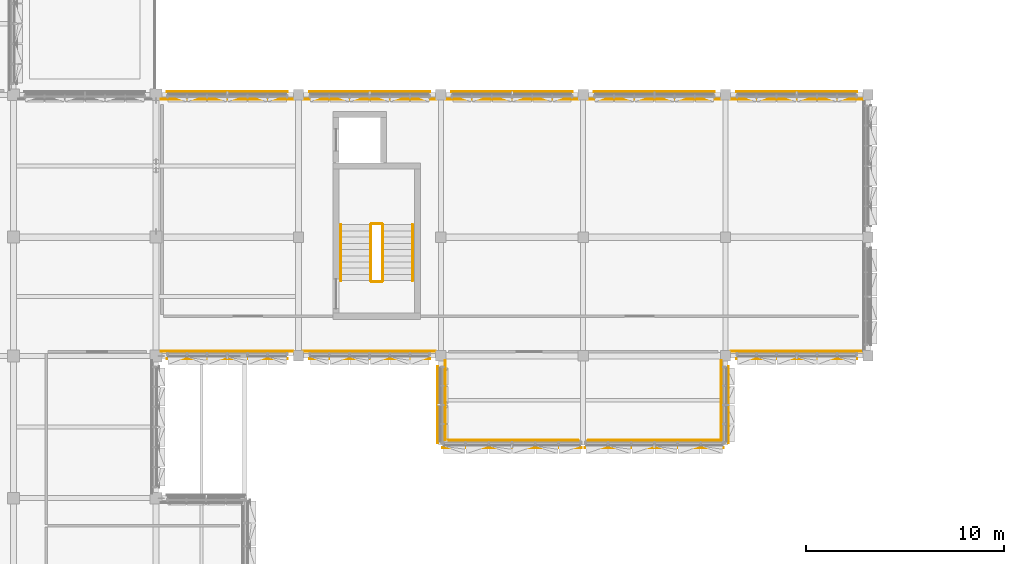
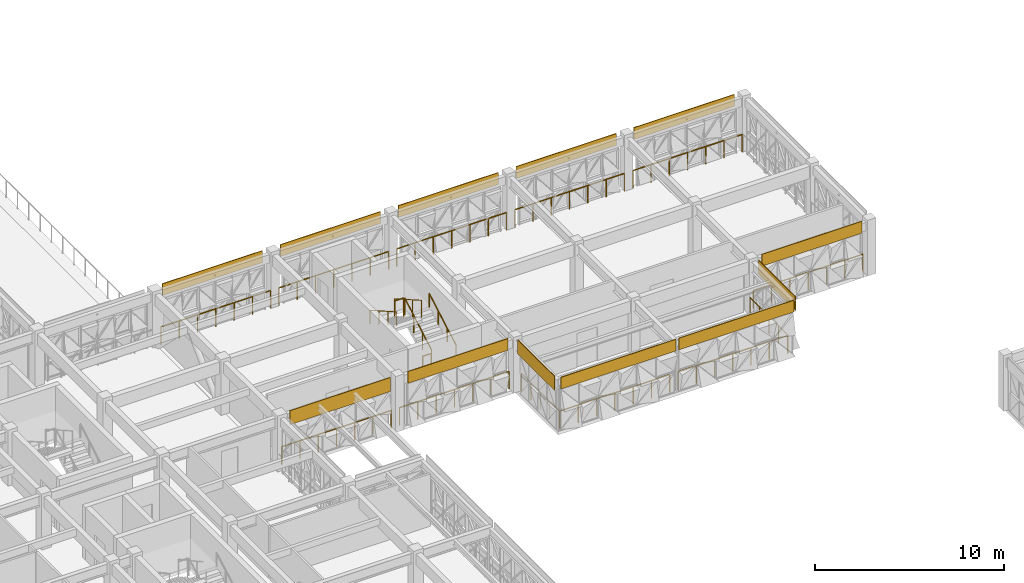
# One storey, part 81 of 99: 18 railings, 12 coverings.
"""IFC4 building model written with IfcOpenShell, lengths in metres."""

from ifc_helpers import new_model, si_unit, direction, frame, origin, origin_2d, place, context, subcontext, project, spatial, polyline, circle, outline, extrude, material, layer, layer_set, type_object, element, save


model = new_model("IFC4")

# Units and contexts
model_context = context("Model", 3, precision=1e-05, world=origin(), true_north=direction((0.0, 1.0)))
body_context = subcontext(model_context, "Body", "Model", "MODEL_VIEW")
ifc_project = project(units=[si_unit("LENGTHUNIT", "METRE"), si_unit("AREAUNIT", "SQUARE_METRE"), si_unit("VOLUMEUNIT", "CUBIC_METRE"), si_unit("PLANEANGLEUNIT", "RADIAN"), si_unit("MASSUNIT", "GRAM", prefix="KILO")], contexts=[model_context])

# Site, building, storey
site_placement = place(None, origin())
site = spatial("IfcSite", under=ifc_project, at=site_placement, CompositionType="ELEMENT")
building_placement = place(site_placement, origin())
building = spatial("IfcBuilding", under=site, at=building_placement, Name="Alvorim Cloister Faculty of Sciences", CompositionType="ELEMENT")
storey_placement = place(building_placement, frame((0.0, 0.0, 12.14990234375)))
storey = spatial("IfcBuildingStorey", under=building, at=storey_placement, Name="L03", CompositionType="ELEMENT", Elevation=12.14990234375)

# Coverings
ifc_material_1 = material(Name="Anodised Aluminium Alloy 6063-T6", Category="aluminium")
ifc_layer = layer(ifc_material_1, 0.031982421875)
ifc_layer_set = layer_set([ifc_layer], Name="Anodised Aluminium Alloy 6063-T6")
covering_type = type_object("IfcCoveringType", Name="COV-FAC-CAS", PredefinedType="CLADDING", material=ifc_layer_set)
for number, where, z_axis, x_axis, name in (
    (1, (29.340087890625, 56.550048828125, 2.830078125), (0.0, 0.0, 1.0), (1.0, 0.0, 0.0), "L03 Shifted Bar Slab-Edge Architectural Fascia"),
    (2, (36.5400390625, 56.550048828125, 2.830078125), (0.0, 0.0, 1.0), (1.0, 0.0, 0.0), "L03 Shifted Bar Slab-Edge Architectural Fascia"),
    (3, (43.739990234375, 56.550048828125, 2.830078125), (0.0, 0.0, 1.0), (1.0, 0.0, 0.0), "L03 Shifted Bar Slab-Edge Architectural Fascia"),
    (4, (50.93994140625, 56.550048828125, 2.830078125), (0.0, 0.0, 1.0), (1.0, 0.0, 0.0), "L03 Shifted Bar Slab-Edge Architectural Fascia"),
    (5, (58.139892578125, 56.550048828125, 2.830078125), (0.0, 0.0, 1.0), (1.0, 0.0, 0.0), "L03 Shifted Bar Slab-Edge Architectural Fascia"),
    (6, (58.139892578125, 43.050048828125, 2.830078125), (0.0, 0.0, 1.0), (1.0, 0.0, 0.0), "L03 Shifted Bar Slab-Edge Architectural Fascia"),
):
    element("IfcCovering", number, at=place(storey_placement, frame(where, z_axis=z_axis, x_axis=x_axis)), inside=storey, type_object=covering_type, Name=name, PredefinedType="CLADDING", context=body_context, shape_type="SweptSolid", body=[
        extrude(outline(polyline([(0.0, 0.0), (6.1201171875, 0.0), (6.1201171875, 0.760009765625), (0.0, 0.760009765625), (0.0, 0.0)])), frame((0.0, 0.0224609375, 0.0), z_axis=(0.0, -1.0, 0.0), x_axis=(1.0, 0.0, 0.0)), (0.0, 0.0, 1.0), 0.044921875),
    ])
covering_1_placement = place(storey_placement, frame((57.75, 38.780029296875, 2.68603515625), z_axis=(0.0, 0.0, 1.0), x_axis=(0.0, 1.0, 0.0)))
element("IfcCovering", 7, at=covering_1_placement, inside=storey, type_object=covering_type, Name="L03 Shifted Bar Slab-Edge Architectural Fascia", PredefinedType="CLADDING", context=body_context, shape_type="SweptSolid", body=[
    extrude(outline(polyline([(0.0, 0.0), (3.8798828125, 0.0), (3.8798828125, 0.904052734375), (0.0, 0.904052734375), (0.0, 0.0)])), frame((0.0, 0.0224609375, 0.0), z_axis=(0.0, -1.0, 0.0), x_axis=(1.0, 0.0, 0.0)), (0.0, 0.0, 1.0), 0.044921875),
])
for number, where, z_axis, x_axis, name in (
    (8, (50.47998046875, 38.550048828125, 2.837158203125), (0.0, 0.0, 1.0), (1.0, 0.0, 0.0), "L03 Shifted Bar Slab-Edge Architectural Fascia"),
    (9, (43.280029296875, 38.550048828125, 2.837158203125), (0.0, 0.0, 1.0), (1.0, 0.0, 0.0), "L03 Shifted Bar Slab-Edge Architectural Fascia"),
):
    element("IfcCovering", number, at=place(storey_placement, frame(where, z_axis=z_axis, x_axis=x_axis)), inside=storey, type_object=covering_type, Name=name, PredefinedType="CLADDING", context=body_context, shape_type="SweptSolid", body=[
        extrude(outline(polyline([(0.0, 0.0), (7.0400390625, 0.0), (7.0400390625, 0.7529296875), (0.0, 0.7529296875), (0.0, 0.0)])), frame((0.0, 0.0224609375, 0.0), z_axis=(0.0, -1.0, 0.0), x_axis=(1.0, 0.0, 0.0)), (0.0, 0.0, 1.0), 0.044921875),
    ])
covering_2_placement = place(storey_placement, frame((43.050048828125, 38.780029296875, 2.68603515625), z_axis=(0.0, 0.0, 1.0), x_axis=(0.0, 1.0, 0.0)))
element("IfcCovering", 10, at=covering_2_placement, inside=storey, type_object=covering_type, Name="L03 Shifted Bar Slab-Edge Architectural Fascia", PredefinedType="CLADDING", context=body_context, shape_type="SweptSolid", body=[
    extrude(outline(polyline([(0.0, 0.0), (3.8798828125, 0.0), (3.8798828125, 0.904052734375), (0.0, 0.904052734375), (0.0, 0.0)])), frame((0.0, 0.0224609375, 0.0), z_axis=(0.0, -1.0, 0.0), x_axis=(1.0, 0.0, 0.0)), (0.0, 0.0, 1.0), 0.044921875),
])
covering_3_placement = place(storey_placement, frame((36.5400390625, 43.050048828125, 2.830078125), z_axis=(0.0, 0.0, 1.0), x_axis=(1.0, 0.0, 0.0)))
element("IfcCovering", 11, at=covering_3_placement, inside=storey, type_object=covering_type, Name="L03 Shifted Bar Slab-Edge Architectural Fascia", PredefinedType="CLADDING", context=body_context, shape_type="SweptSolid", body=[
    extrude(outline(polyline([(0.0, 0.0), (6.1201171875, 0.0), (6.1201171875, 0.760009765625), (0.0, 0.760009765625), (0.0, 0.0)])), frame((0.0, 0.0224609375, 0.0), z_axis=(0.0, -1.0, 0.0), x_axis=(1.0, 0.0, 0.0)), (0.0, 0.0, 1.0), 0.044921875),
])
covering_4_placement = place(storey_placement, frame((29.340087890625, 43.050048828125, 2.68603515625), z_axis=(0.0, 0.0, 1.0), x_axis=(1.0, 0.0, 0.0)))
element("IfcCovering", 12, at=covering_4_placement, inside=storey, type_object=covering_type, Name="L03 Shifted Bar Slab-Edge Architectural Fascia", PredefinedType="CLADDING", context=body_context, shape_type="SweptSolid", body=[
    extrude(outline(polyline([(0.0, 0.0), (6.1201171875, 0.0), (6.1201171875, 0.904052734375), (0.0, 0.904052734375), (0.0, 0.0)])), frame((0.0, 0.0224609375, 0.0), z_axis=(0.0, -1.0, 0.0), x_axis=(1.0, 0.0, 0.0)), (0.0, 0.0, 1.0), 0.044921875),
])

# Railings
ifc_material_2 = material(Name="Laminated Safety Glass and Bronze", Category="glass")
railing_type_1 = type_object("IfcRailingType", Name="RL-ATR-BAL-1150", PredefinedType="BALUSTRADE", material=ifc_material_2)
for number, where, name in (
    (13, (29.050048828125, 56.179931640625, 0.0), "L03 Curtain Wall Sill Guard BL-119"),
    (14, (36.25, 56.179931640625, 0.0), "L03 Curtain Wall Sill Guard BL-120"),
    (15, (43.449951171875, 56.179931640625, 0.0), "L03 Curtain Wall Sill Guard BL-121"),
):
    element("IfcRailing", number, at=place(storey_placement, frame(where)), inside=storey, type_object=railing_type_1, Name=name, PredefinedType="BALUSTRADE", context=body_context, shape_type="SweptSolid", body=[
        extrude(circle(Radius=0.02392578125, at=origin_2d()), frame((0.0, 0.0, 1.1259765625), z_axis=(1.0, 0.0, 0.0), x_axis=(0.0, 1.0, 0.0)), (0.0, 0.0, 1.0), 6.699951171875),
        extrude(circle(Radius=0.02099609375, at=origin_2d()), origin(), (0.0, 0.0, 1.0), 1.101806640625),
        extrude(circle(Radius=0.02099609375, at=origin_2d()), frame((1.11669921875, 0.0, 0.0)), (0.0, 0.0, 1.0), 1.101806640625),
        extrude(circle(Radius=0.02099609375, at=origin_2d()), frame((2.2333984375, 0.0, 0.0)), (0.0, 0.0, 1.0), 1.101806640625),
        extrude(circle(Radius=0.02099609375, at=origin_2d()), frame((3.35009765625, 0.0, 0.0)), (0.0, 0.0, 1.0), 1.101806640625),
        extrude(circle(Radius=0.02099609375, at=origin_2d()), frame((4.466552734375, 0.0, 0.0)), (0.0, 0.0, 1.0), 1.101806640625),
        extrude(circle(Radius=0.02099609375, at=origin_2d()), frame((5.583251953125, 0.0, 0.0)), (0.0, 0.0, 1.0), 1.101806640625),
        extrude(circle(Radius=0.02099609375, at=origin_2d()), frame((6.699951171875, 0.0, 0.0)), (0.0, 0.0, 1.0), 1.101806640625),
    ])
railing_1_placement = place(storey_placement, frame((50.64990234375, 56.179931640625, 0.0)))
element("IfcRailing", 16, at=railing_1_placement, inside=storey, type_object=railing_type_1, Name="L03 Curtain Wall Sill Guard BL-122", PredefinedType="BALUSTRADE", context=body_context, shape_type="SweptSolid", body=[
    extrude(circle(Radius=0.02392578125, at=origin_2d()), frame((0.0, 0.0, 1.1259765625), z_axis=(1.0, 0.0, 0.0), x_axis=(0.0, 1.0, 0.0)), (0.0, 0.0, 1.0), 6.7001953125),
    extrude(circle(Radius=0.02099609375, at=origin_2d()), origin(), (0.0, 0.0, 1.0), 1.101806640625),
    extrude(circle(Radius=0.02099609375, at=origin_2d()), frame((1.11669921875, 0.0, 0.0)), (0.0, 0.0, 1.0), 1.101806640625),
    extrude(circle(Radius=0.02099609375, at=origin_2d()), frame((2.2333984375, 0.0, 0.0)), (0.0, 0.0, 1.0), 1.101806640625),
    extrude(circle(Radius=0.02099609375, at=origin_2d()), frame((3.35009765625, 0.0, 0.0)), (0.0, 0.0, 1.0), 1.101806640625),
    extrude(circle(Radius=0.02099609375, at=origin_2d()), frame((4.466796875, 0.0, 0.0)), (0.0, 0.0, 1.0), 1.101806640625),
    extrude(circle(Radius=0.02099609375, at=origin_2d()), frame((5.58349609375, 0.0, 0.0)), (0.0, 0.0, 1.0), 1.101806640625),
    extrude(circle(Radius=0.02099609375, at=origin_2d()), frame((6.7001953125, 0.0, 0.0)), (0.0, 0.0, 1.0), 1.101806640625),
])
for number, where, name in (
    (17, (57.85009765625, 56.179931640625, 0.0), "L03 Curtain Wall Sill Guard BL-123"),
    (18, (57.85009765625, 43.419921875, 0.0), "L03 Curtain Wall Sill Guard BL-126"),
):
    element("IfcRailing", number, at=place(storey_placement, frame(where)), inside=storey, type_object=railing_type_1, Name=name, PredefinedType="BALUSTRADE", context=body_context, shape_type="SweptSolid", body=[
        extrude(circle(Radius=0.02392578125, at=origin_2d()), frame((0.0, 0.0, 1.1259765625), z_axis=(1.0, 0.0, 0.0), x_axis=(0.0, 1.0, 0.0)), (0.0, 0.0, 1.0), 6.699951171875),
        extrude(circle(Radius=0.02099609375, at=origin_2d()), origin(), (0.0, 0.0, 1.0), 1.101806640625),
        extrude(circle(Radius=0.02099609375, at=origin_2d()), frame((1.11669921875, 0.0, 0.0)), (0.0, 0.0, 1.0), 1.101806640625),
        extrude(circle(Radius=0.02099609375, at=origin_2d()), frame((2.2333984375, 0.0, 0.0)), (0.0, 0.0, 1.0), 1.101806640625),
        extrude(circle(Radius=0.02099609375, at=origin_2d()), frame((3.35009765625, 0.0, 0.0)), (0.0, 0.0, 1.0), 1.101806640625),
        extrude(circle(Radius=0.02099609375, at=origin_2d()), frame((4.466552734375, 0.0, 0.0)), (0.0, 0.0, 1.0), 1.101806640625),
        extrude(circle(Radius=0.02099609375, at=origin_2d()), frame((5.583251953125, 0.0, 0.0)), (0.0, 0.0, 1.0), 1.101806640625),
        extrude(circle(Radius=0.02099609375, at=origin_2d()), frame((6.699951171875, 0.0, 0.0)), (0.0, 0.0, 1.0), 1.101806640625),
    ])
railing_2_placement = place(storey_placement, frame((57.3798828125, 38.949951171875, 0.0)))
element("IfcRailing", 19, at=railing_2_placement, inside=storey, type_object=railing_type_1, Name="L03 Curtain Wall Sill Guard BL-127", PredefinedType="BALUSTRADE", context=body_context, shape_type="SweptSolid", body=[
    extrude(circle(Radius=0.02392578125, at=origin_2d()), frame((0.0, 0.0, 1.1259765625), z_axis=(0.0, 1.0, 0.0), x_axis=(-1.0, 0.0, 0.0)), (0.0, 0.0, 1.0), 4.0),
    extrude(circle(Radius=0.02099609375, at=origin_2d()), origin(), (0.0, 0.0, 1.0), 1.101806640625),
    extrude(circle(Radius=0.02099609375, at=origin_2d()), frame((0.0, 1.0, 0.0)), (0.0, 0.0, 1.0), 1.101806640625),
    extrude(circle(Radius=0.02099609375, at=origin_2d()), frame((0.0, 2.0, 0.0)), (0.0, 0.0, 1.0), 1.101806640625),
    extrude(circle(Radius=0.02099609375, at=origin_2d()), frame((0.0, 3.0, 0.0)), (0.0, 0.0, 1.0), 1.101806640625),
    extrude(circle(Radius=0.02099609375, at=origin_2d()), frame((0.0, 4.0, 0.0)), (0.0, 0.0, 1.0), 1.101806640625),
])
railing_3_placement = place(storey_placement, frame((50.64990234375, 38.919921875, 0.0)))
element("IfcRailing", 20, at=railing_3_placement, inside=storey, type_object=railing_type_1, Name="L03 Curtain Wall Sill Guard BL-128", PredefinedType="BALUSTRADE", context=body_context, shape_type="SweptSolid", body=[
    extrude(circle(Radius=0.02392578125, at=origin_2d()), frame((0.0, 0.0, 1.1259765625), z_axis=(1.0, 0.0, 0.0), x_axis=(0.0, 1.0, 0.0)), (0.0, 0.0, 1.0), 6.7001953125),
    extrude(circle(Radius=0.02099609375, at=origin_2d()), origin(), (0.0, 0.0, 1.0), 1.101806640625),
    extrude(circle(Radius=0.02099609375, at=origin_2d()), frame((1.11669921875, 0.0, 0.0)), (0.0, 0.0, 1.0), 1.101806640625),
    extrude(circle(Radius=0.02099609375, at=origin_2d()), frame((2.2333984375, 0.0, 0.0)), (0.0, 0.0, 1.0), 1.101806640625),
    extrude(circle(Radius=0.02099609375, at=origin_2d()), frame((3.35009765625, 0.0, 0.0)), (0.0, 0.0, 1.0), 1.101806640625),
    extrude(circle(Radius=0.02099609375, at=origin_2d()), frame((4.466796875, 0.0, 0.0)), (0.0, 0.0, 1.0), 1.101806640625),
    extrude(circle(Radius=0.02099609375, at=origin_2d()), frame((5.58349609375, 0.0, 0.0)), (0.0, 0.0, 1.0), 1.101806640625),
    extrude(circle(Radius=0.02099609375, at=origin_2d()), frame((6.7001953125, 0.0, 0.0)), (0.0, 0.0, 1.0), 1.101806640625),
])
railing_4_placement = place(storey_placement, frame((43.449951171875, 38.919921875, 0.0)))
element("IfcRailing", 21, at=railing_4_placement, inside=storey, type_object=railing_type_1, Name="L03 Curtain Wall Sill Guard BL-129", PredefinedType="BALUSTRADE", context=body_context, shape_type="SweptSolid", body=[
    extrude(circle(Radius=0.02392578125, at=origin_2d()), frame((0.0, 0.0, 1.1259765625), z_axis=(1.0, 0.0, 0.0), x_axis=(0.0, 1.0, 0.0)), (0.0, 0.0, 1.0), 6.699951171875),
    extrude(circle(Radius=0.02099609375, at=origin_2d()), origin(), (0.0, 0.0, 1.0), 1.101806640625),
    extrude(circle(Radius=0.02099609375, at=origin_2d()), frame((1.11669921875, 0.0, 0.0)), (0.0, 0.0, 1.0), 1.101806640625),
    extrude(circle(Radius=0.02099609375, at=origin_2d()), frame((2.2333984375, 0.0, 0.0)), (0.0, 0.0, 1.0), 1.101806640625),
    extrude(circle(Radius=0.02099609375, at=origin_2d()), frame((3.35009765625, 0.0, 0.0)), (0.0, 0.0, 1.0), 1.101806640625),
    extrude(circle(Radius=0.02099609375, at=origin_2d()), frame((4.466552734375, 0.0, 0.0)), (0.0, 0.0, 1.0), 1.101806640625),
    extrude(circle(Radius=0.02099609375, at=origin_2d()), frame((5.583251953125, 0.0, 0.0)), (0.0, 0.0, 1.0), 1.101806640625),
    extrude(circle(Radius=0.02099609375, at=origin_2d()), frame((6.699951171875, 0.0, 0.0)), (0.0, 0.0, 1.0), 1.101806640625),
])
railing_5_placement = place(storey_placement, frame((43.419921875, 38.949951171875, 0.0)))
element("IfcRailing", 22, at=railing_5_placement, inside=storey, type_object=railing_type_1, Name="L03 Curtain Wall Sill Guard BL-130", PredefinedType="BALUSTRADE", context=body_context, shape_type="SweptSolid", body=[
    extrude(circle(Radius=0.02392578125, at=origin_2d()), frame((0.0, 0.0, 1.1259765625), z_axis=(0.0, 1.0, 0.0), x_axis=(-1.0, 0.0, 0.0)), (0.0, 0.0, 1.0), 4.0),
    extrude(circle(Radius=0.02099609375, at=origin_2d()), origin(), (0.0, 0.0, 1.0), 1.101806640625),
    extrude(circle(Radius=0.02099609375, at=origin_2d()), frame((0.0, 1.0, 0.0)), (0.0, 0.0, 1.0), 1.101806640625),
    extrude(circle(Radius=0.02099609375, at=origin_2d()), frame((0.0, 2.0, 0.0)), (0.0, 0.0, 1.0), 1.101806640625),
    extrude(circle(Radius=0.02099609375, at=origin_2d()), frame((0.0, 3.0, 0.0)), (0.0, 0.0, 1.0), 1.101806640625),
    extrude(circle(Radius=0.02099609375, at=origin_2d()), frame((0.0, 4.0, 0.0)), (0.0, 0.0, 1.0), 1.101806640625),
])
for number, where, name in (
    (23, (36.25, 43.419921875, 0.0), "L03 Curtain Wall Sill Guard BL-131"),
    (24, (29.050048828125, 43.419921875, 0.0), "L03 Curtain Wall Sill Guard BL-132"),
):
    element("IfcRailing", number, at=place(storey_placement, frame(where)), inside=storey, type_object=railing_type_1, Name=name, PredefinedType="BALUSTRADE", context=body_context, shape_type="SweptSolid", body=[
        extrude(circle(Radius=0.02392578125, at=origin_2d()), frame((0.0, 0.0, 1.1259765625), z_axis=(1.0, 0.0, 0.0), x_axis=(0.0, 1.0, 0.0)), (0.0, 0.0, 1.0), 6.699951171875),
        extrude(circle(Radius=0.02099609375, at=origin_2d()), origin(), (0.0, 0.0, 1.0), 1.101806640625),
        extrude(circle(Radius=0.02099609375, at=origin_2d()), frame((1.11669921875, 0.0, 0.0)), (0.0, 0.0, 1.0), 1.101806640625),
        extrude(circle(Radius=0.02099609375, at=origin_2d()), frame((2.2333984375, 0.0, 0.0)), (0.0, 0.0, 1.0), 1.101806640625),
        extrude(circle(Radius=0.02099609375, at=origin_2d()), frame((3.35009765625, 0.0, 0.0)), (0.0, 0.0, 1.0), 1.101806640625),
        extrude(circle(Radius=0.02099609375, at=origin_2d()), frame((4.466552734375, 0.0, 0.0)), (0.0, 0.0, 1.0), 1.101806640625),
        extrude(circle(Radius=0.02099609375, at=origin_2d()), frame((5.583251953125, 0.0, 0.0)), (0.0, 0.0, 1.0), 1.101806640625),
        extrude(circle(Radius=0.02099609375, at=origin_2d()), frame((6.699951171875, 0.0, 0.0)), (0.0, 0.0, 1.0), 1.101806640625),
    ])
ifc_material_3 = material(Name="Galvanised Painted Steel", Category="steel")
railing_type_2 = type_object("IfcRailingType", Name="RL-STR-GUARD", PredefinedType="GUARDRAIL", material=ifc_material_3)
railing_6_placement = place(storey_placement, frame((40.27001953125, 47.0, 0.18017578125)))
element("IfcRailing", 25, at=railing_6_placement, inside=storey, type_object=railing_type_2, Name="L03 ST-04 stair guard 1", PredefinedType="GUARDRAIL", context=body_context, shape_type="SweptSolid", body=[
    extrude(circle(Radius=0.02392578125, at=origin_2d()), frame((0.0, 0.0, 1.09619140625), z_axis=(0.0, 0.868256945921, 0.496114780932), x_axis=(-1.0, 0.0, 0.0)), (0.0, 0.0, 1.0), 3.26513671875),
    extrude(circle(Radius=0.02099609375, at=origin_2d()), origin(), (0.0, 0.0, 1.0), 1.072021484375),
    extrude(circle(Radius=0.02099609375, at=origin_2d()), frame((0.0, 0.945068359375, 0.5400390625)), (0.0, 0.0, 1.0), 1.072021484375),
    extrude(circle(Radius=0.02099609375, at=origin_2d()), frame((0.0, 1.889892578125, 1.079833984375)), (0.0, 0.0, 1.0), 1.072021484375),
    extrude(circle(Radius=0.02099609375, at=origin_2d()), frame((0.0, 2.8349609375, 1.619873046875)), (0.0, 0.0, 1.0), 1.072021484375),
])
railing_7_placement = place(storey_placement, frame((40.219970703125, 49.885009765625, 1.800048828125)))
element("IfcRailing", 26, at=railing_7_placement, inside=storey, type_object=railing_type_2, Name="L03 ST-04 stair guard 2", PredefinedType="GUARDRAIL", context=body_context, shape_type="SweptSolid", body=[
    extrude(circle(Radius=0.02392578125, at=origin_2d()), frame((0.0, 0.0, 1.09619140625), z_axis=(-1.0, 0.0, 0.0), x_axis=(0.0, -1.0, 0.0)), (0.0, 0.0, 1.0), 0.52001953125),
    extrude(circle(Radius=0.02099609375, at=origin_2d()), origin(), (0.0, 0.0, 1.0), 1.072021484375),
    extrude(circle(Radius=0.02099609375, at=origin_2d()), frame((-0.52001953125, 0.0, 0.0)), (0.0, 0.0, 1.0), 1.072021484375),
])
railing_8_placement = place(storey_placement, frame((39.64990234375, 49.8349609375, 1.97998046875)))
element("IfcRailing", 27, at=railing_8_placement, inside=storey, type_object=railing_type_2, Name="L03 ST-04 stair guard 3", PredefinedType="GUARDRAIL", context=body_context, shape_type="SweptSolid", body=[
    extrude(circle(Radius=0.02392578125, at=origin_2d()), frame((0.0, 0.0, 1.09619140625), z_axis=(0.0, -0.868224736699, 0.496171146464), x_axis=(1.0, 0.0, 0.0)), (0.0, 0.0, 1.0), 3.26513671875),
    extrude(circle(Radius=0.02099609375, at=origin_2d()), origin(), (0.0, 0.0, 1.0), 1.072021484375),
    extrude(circle(Radius=0.02099609375, at=origin_2d()), frame((0.0, -0.945068359375, 0.5400390625)), (0.0, 0.0, 1.0), 1.072021484375),
    extrude(circle(Radius=0.02099609375, at=origin_2d()), frame((0.0, -1.889892578125, 1.080078125)), (0.0, 0.0, 1.0), 1.072021484375),
    extrude(circle(Radius=0.02099609375, at=origin_2d()), frame((0.0, -2.8349609375, 1.6201171875)), (0.0, 0.0, 1.0), 1.072021484375),
])
railing_9_placement = place(storey_placement, frame((40.219970703125, 46.949951171875, 0.0)))
element("IfcRailing", 28, at=railing_9_placement, inside=storey, type_object=railing_type_2, Name="L03 ST-04 stair guard 4", PredefinedType="GUARDRAIL", context=body_context, shape_type="SweptSolid", body=[
    extrude(circle(Radius=0.02392578125, at=origin_2d()), frame((0.0, 0.0, 1.09619140625), z_axis=(-1.0, 0.0, 0.0), x_axis=(0.0, -1.0, 0.0)), (0.0, 0.0, 1.0), 0.52001953125),
    extrude(circle(Radius=0.02099609375, at=origin_2d()), origin(), (0.0, 0.0, 1.0), 1.072021484375),
    extrude(circle(Radius=0.02099609375, at=origin_2d()), frame((-0.52001953125, 0.0, 0.0)), (0.0, 0.0, 1.0), 1.072021484375),
])
ifc_material_4 = material(Name="Brushed Stainless Steel", Category="steel")
railing_type_3 = type_object("IfcRailingType", Name="RL-STR-HAND", PredefinedType="HANDRAIL", material=ifc_material_4)
railing_10_placement = place(storey_placement, frame((41.77001953125, 47.0, 0.18017578125)))
element("IfcRailing", 29, at=railing_10_placement, inside=storey, type_object=railing_type_3, Name="L03 ST-04 stair handrail 1", PredefinedType="HANDRAIL", context=body_context, shape_type="SweptSolid", body=[
    extrude(circle(Radius=0.02392578125, at=origin_2d()), frame((0.0, 0.0, 0.8759765625), z_axis=(0.0, 0.868256945921, 0.496114780932), x_axis=(-1.0, 0.0, 0.0)), (0.0, 0.0, 1.0), 3.26513671875),
    extrude(circle(Radius=0.02099609375, at=origin_2d()), origin(), (0.0, 0.0, 1.0), 0.851806640625),
    extrude(circle(Radius=0.02099609375, at=origin_2d()), frame((0.0, 0.945068359375, 0.5400390625)), (0.0, 0.0, 1.0), 0.851806640625),
    extrude(circle(Radius=0.02099609375, at=origin_2d()), frame((0.0, 1.889892578125, 1.079833984375)), (0.0, 0.0, 1.0), 0.851806640625),
    extrude(circle(Radius=0.02099609375, at=origin_2d()), frame((0.0, 2.8349609375, 1.619873046875)), (0.0, 0.0, 1.0), 0.851806640625),
])
railing_11_placement = place(storey_placement, frame((38.14990234375, 49.8349609375, 1.97998046875)))
element("IfcRailing", 30, at=railing_11_placement, inside=storey, type_object=railing_type_3, Name="L03 ST-04 stair handrail 2", PredefinedType="HANDRAIL", context=body_context, shape_type="SweptSolid", body=[
    extrude(circle(Radius=0.02392578125, at=origin_2d()), frame((0.0, 0.0, 0.8759765625), z_axis=(0.0, -0.868224736699, 0.496171146464), x_axis=(1.0, 0.0, 0.0)), (0.0, 0.0, 1.0), 3.26513671875),
    extrude(circle(Radius=0.02099609375, at=origin_2d()), origin(), (0.0, 0.0, 1.0), 0.851806640625),
    extrude(circle(Radius=0.02099609375, at=origin_2d()), frame((0.0, -0.945068359375, 0.5400390625)), (0.0, 0.0, 1.0), 0.851806640625),
    extrude(circle(Radius=0.02099609375, at=origin_2d()), frame((0.0, -1.889892578125, 1.080078125)), (0.0, 0.0, 1.0), 0.851806640625),
    extrude(circle(Radius=0.02099609375, at=origin_2d()), frame((0.0, -2.8349609375, 1.6201171875)), (0.0, 0.0, 1.0), 0.851806640625),
])

save(model, "model.ifc")
